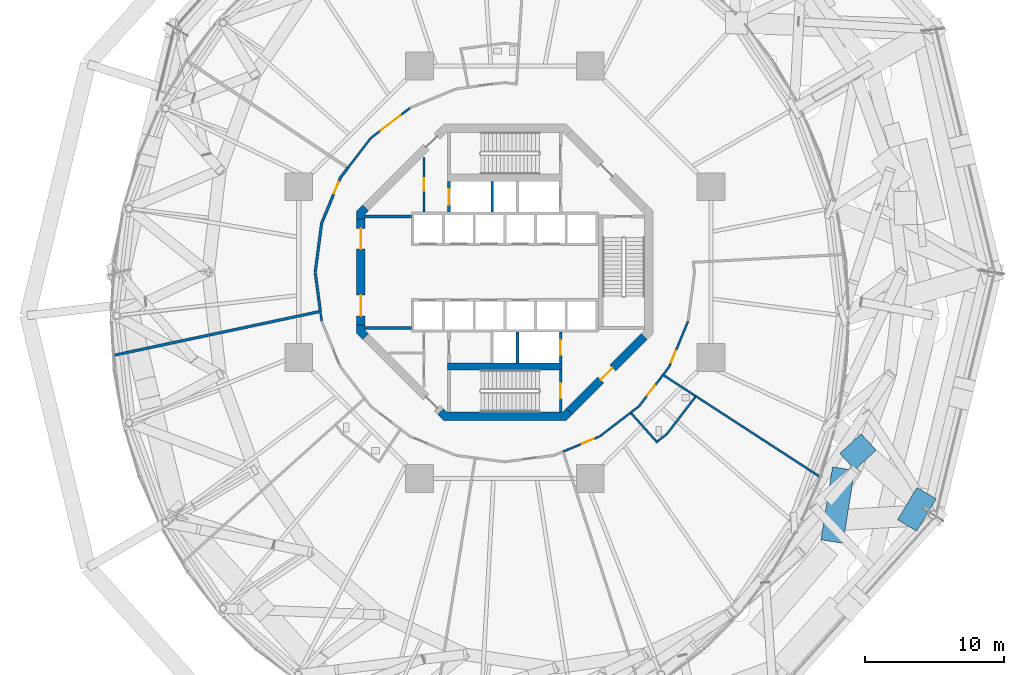
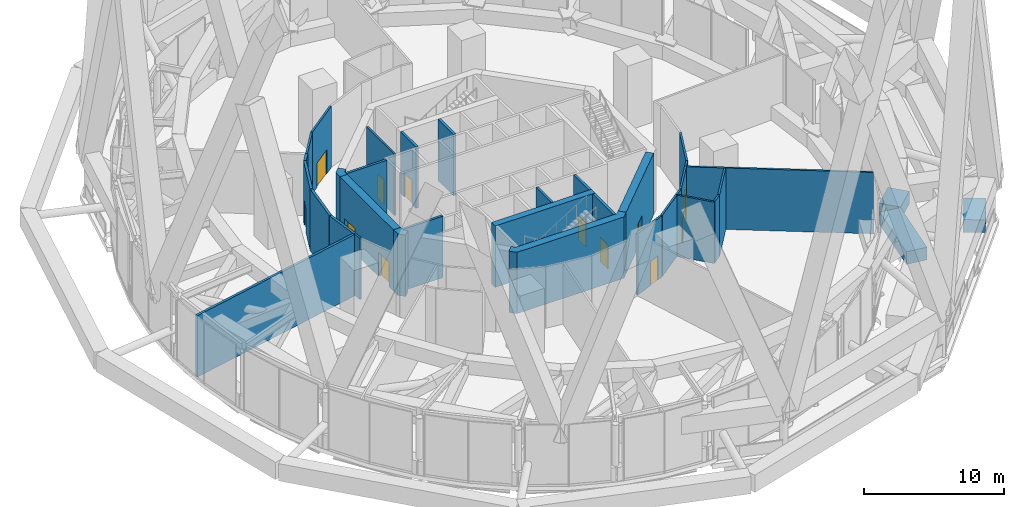
# One storey, part 38 of 49: 36 walls, 12 doors, 12 openings.
"""IFC4 building model written with IfcOpenShell, lengths in metres."""

from ifc_helpers import new_model, si_unit, direction, frame, frame_2d, origin, place, context, subcontext, project, spatial, polyline, rectangle, outline, extrude, material, layer, layer_set, type_object, element, fill, save


model = new_model("IFC4")

# Units and contexts
model_context = context("Model", 3, precision=1e-05, world=origin(), true_north=direction((0.0, 1.0)))
body_context = subcontext(model_context, "Body", "Model", "MODEL_VIEW")
ifc_project = project(units=[si_unit("LENGTHUNIT", "METRE"), si_unit("AREAUNIT", "SQUARE_METRE"), si_unit("VOLUMEUNIT", "CUBIC_METRE"), si_unit("PLANEANGLEUNIT", "RADIAN"), si_unit("MASSUNIT", "GRAM", prefix="KILO")], contexts=[model_context])

# Site, building, storey
site_placement = place(None, origin())
site = spatial("IfcSite", under=ifc_project, at=site_placement, CompositionType="ELEMENT")
building_placement = place(site_placement, origin())
building = spatial("IfcBuilding", under=site, at=building_placement, Name="Nagisa Residences", CompositionType="ELEMENT")
storey_placement = place(building_placement, frame((0.0, 0.0, 160.300048828125)))
storey = spatial("IfcBuildingStorey", under=building, at=storey_placement, Name="L40", CompositionType="ELEMENT", Elevation=160.300048828125)

# Wall, opening, door
ifc_material_1 = material(Name="Gypsum board on steel studs", Category="steel")
ifc_layer_1 = layer(ifc_material_1, 0.14990234375)
ifc_layer_set_1 = layer_set([ifc_layer_1], Name="Core partition 150")
wall_type_1 = type_object("IfcWallType", Name="Core partition 150", PredefinedType="PARTITIONING", material=ifc_layer_set_1)
wall_1_placement = place(storey_placement, frame((-5.800048828125, 4.300048828125, 0.0), z_axis=(0.0, 0.0, 1.0), x_axis=(0.0, 1.0, 0.0)))
wall_1 = element("IfcWall", 1, at=wall_1_placement, inside=storey, type_object=wall_type_1, Name="wall:L40:NWp", PredefinedType="PARTITIONING", context=body_context, shape_type="SweptSolid", body=[
    extrude(rectangle(XDim=3.927001953125, YDim=0.14990234375, at=frame_2d((1.96337890625, 0.0))), origin(), (0.0, 0.0, 1.0), 5.33984375),
])
opening_1_placement = place(wall_1_placement, frame((1.551025390625, 0.0, 0.0)))
opening_1 = element("IfcOpeningElement", 2, at=opening_1_placement, cuts=wall_1, Name="Opening L40-C16", PredefinedType="OPENING", context=body_context, shape_type="SweptSolid", body=[
    extrude(rectangle(XDim=0.89990234375, YDim=2.10009765625, at=frame_2d((0.449951171875, 1.050048828125))), frame((0.0, 0.0849609375, 0.0), z_axis=(0.0, -1.0, 0.0), x_axis=(1.0, 0.0, 0.0)), (0.0, 0.0, 1.0), 0.169921875),
])
ifc_material_2 = material(Name="Steel fire door", Category="steel")
door_type_1 = type_object("IfcDoorType", Name="Fire door EI30 900x2100 single swing", OperationType="NOTDEFINED", PredefinedType="DOOR", material=ifc_material_2)
door_1_placement = place(opening_1_placement, origin())
door_1 = element("IfcDoor", 3, at=door_1_placement, inside=storey, type_object=door_type_1, Name="Package room door L40", OperationType="SINGLE_SWING_LEFT", OverallHeight=2.10009765625, OverallWidth=0.89990234375, PredefinedType="DOOR", context=body_context, shape_type="SweptSolid", body=[
    extrude(rectangle(XDim=0.89990234375, YDim=2.10009765625, at=frame_2d((0.449951171875, 1.050048828125))), frame((0.0, 0.02490234375, 0.0), z_axis=(0.0, -1.0, 0.0), x_axis=(1.0, 0.0, 0.0)), (0.0, 0.0, 1.0), 0.050048828125),
])
fill(opening_1, door_1)

# Walls
ifc_material_3 = material(Name="Gypsum board on steel studs", Category="steel")
ifc_layer_2 = layer(ifc_material_3, 0.199951171875)
ifc_layer_set_2 = layer_set([ifc_layer_2], Name="Core partition 200")
wall_type_2 = type_object("IfcWallType", Name="Core partition 200", PredefinedType="PARTITIONING", material=ifc_layer_set_2)
for number, where, z_axis, x_axis, name in (
    (4, (-10.024658203125, -4.0, 0.0), (0.0, 0.0, 1.0), (1.0, 0.0, 0.0), "wall:L40:PSW"),
    (5, (-10.024658203125, 4.0, 0.0), (0.0, 0.0, 1.0), (1.0, 0.0, 0.0), "wall:L40:PNW"),
):
    element("IfcWall", number, at=place(storey_placement, frame(where, z_axis=z_axis, x_axis=x_axis)), inside=storey, type_object=wall_type_2, Name=name, PredefinedType="PARTITIONING", context=body_context, shape_type="SweptSolid", body=[
        extrude(rectangle(XDim=3.32470703125, YDim=0.199951171875, at=frame_2d((1.662353515625, 0.0))), origin(), (0.0, 0.0, 1.0), 5.33984375),
    ])

# Wall, openings, doors
ifc_material_4 = material(Name="Concrete C60", Category="concrete")
ifc_layer_3 = layer(ifc_material_4, 0.60009765625)
ifc_layer_set_3 = layer_set([ifc_layer_3], Name="Core shear wall 600")
wall_type_3 = type_object("IfcWallType", Name="Core shear wall 600", PredefinedType="SHEAR", material=ifc_layer_set_3)
wall_2_placement = place(storey_placement, frame((-10.32470703125, 3.80078125, 0.0), z_axis=(0.0, 0.0, 1.0), x_axis=(0.0, -1.0, 0.0)))
wall_2 = element("IfcWall", 6, at=wall_2_placement, inside=storey, type_object=wall_type_3, Name="wall:L40:core:flat4", PredefinedType="SHEAR", context=body_context, shape_type="SweptSolid", body=[
    extrude(rectangle(XDim=7.6015625, YDim=0.60009765625, at=frame_2d((3.80078125, 0.0))), origin(), (0.0, 0.0, 1.0), 5.33984375),
])
opening_2_placement = place(wall_2_placement, frame((0.65087890625, 0.0, 0.0)))
opening_2 = element("IfcOpeningElement", 7, at=opening_2_placement, cuts=wall_2, Name="Opening L40-C22", PredefinedType="OPENING", context=body_context, shape_type="SweptSolid", body=[
    extrude(rectangle(XDim=1.5, YDim=2.10009765625, at=frame_2d((0.75, 1.050048828125))), frame((0.0, 0.31005859375, 0.0), z_axis=(0.0, -1.0, 0.0), x_axis=(1.0, 0.0, 0.0)), (0.0, 0.0, 1.0), 0.6201171875),
])
opening_3_placement = place(wall_2_placement, frame((5.450927734375, 0.0, 0.0)))
opening_3 = element("IfcOpeningElement", 8, at=opening_3_placement, cuts=wall_2, Name="Opening L40-C23", PredefinedType="OPENING", context=body_context, shape_type="SweptSolid", body=[
    extrude(rectangle(XDim=1.5, YDim=2.10009765625, at=frame_2d((0.75, 1.050048828125))), frame((0.0, 0.31005859375, 0.0), z_axis=(0.0, -1.0, 0.0), x_axis=(1.0, 0.0, 0.0)), (0.0, 0.0, 1.0), 0.6201171875),
])
ifc_material_5 = material(Name="Steel fire door", Category="steel")
door_type_2 = type_object("IfcDoorType", Name="Fire door EI60 1500x2100 double door single swing", OperationType="DOUBLE_DOOR_SINGLE_SWING", PredefinedType="DOOR", material=ifc_material_5)
door_2_placement = place(opening_2_placement, origin())
door_2 = element("IfcDoor", 9, at=door_2_placement, inside=storey, type_object=door_type_2, Name="Lift lobby door L40 1", OperationType="DOUBLE_DOOR_SINGLE_SWING", OverallHeight=2.10009765625, OverallWidth=1.5, PredefinedType="DOOR", context=body_context, shape_type="SweptSolid", body=[
    extrude(rectangle(XDim=1.5, YDim=2.10009765625, at=frame_2d((0.75, 1.050048828125))), frame((0.0, 0.02490234375, 0.0), z_axis=(0.0, -1.0, 0.0), x_axis=(1.0, 0.0, 0.0)), (0.0, 0.0, 1.0), 0.050048828125),
])
fill(opening_2, door_2)
door_3_placement = place(opening_3_placement, origin())
door_3 = element("IfcDoor", 10, at=door_3_placement, inside=storey, type_object=door_type_2, Name="Lift lobby door L40 2", OperationType="DOUBLE_DOOR_SINGLE_SWING", OverallHeight=2.10009765625, OverallWidth=1.5, PredefinedType="DOOR", context=body_context, shape_type="SweptSolid", body=[
    extrude(rectangle(XDim=1.5, YDim=2.10009765625, at=frame_2d((0.75, 1.050048828125))), frame((0.0, 0.02490234375, 0.0), z_axis=(0.0, -1.0, 0.0), x_axis=(1.0, 0.0, 0.0)), (0.0, 0.0, 1.0), 0.050048828125),
])
fill(opening_3, door_3)

# Wall, opening, door
wall_3_placement = place(storey_placement, frame((4.613037109375, -9.98828125, 0.0), z_axis=(0.0, 0.0, 1.0), x_axis=(0.707106781187, 0.707106781187, 0.0)))
wall_3 = element("IfcWall", 11, at=wall_3_placement, inside=storey, type_object=wall_type_3, Name="wall:L40:core:flat7", PredefinedType="SHEAR", context=body_context, shape_type="SweptSolid", body=[
    extrude(rectangle(XDim=7.601806640625, YDim=0.60009765625, at=frame_2d((3.80078125, 0.0))), origin(), (0.0, 0.0, 1.0), 5.33984375),
])
opening_4_placement = place(wall_3_placement, frame((3.200927734375, 0.0, 0.0)))
opening_4 = element("IfcOpeningElement", 12, at=opening_4_placement, cuts=wall_3, Name="Opening L40-C21", PredefinedType="OPENING", context=body_context, shape_type="SweptSolid", body=[
    extrude(rectangle(XDim=1.199951171875, YDim=2.10009765625, at=frame_2d((0.60009765625, 1.050048828125))), frame((0.0, 0.31005859375, 0.0), z_axis=(0.0, -1.0, 0.0), x_axis=(1.0, 0.0, 0.0)), (0.0, 0.0, 1.0), 0.6201171875),
])
ifc_material_6 = material(Name="Steel fire door", Category="steel")
door_type_3 = type_object("IfcDoorType", Name="Fire door EI60 1200x2100 single swing", OperationType="NOTDEFINED", PredefinedType="DOOR", material=ifc_material_6)
door_4_placement = place(opening_4_placement, origin())
door_4 = element("IfcDoor", 13, at=door_4_placement, inside=storey, type_object=door_type_3, Name="Firefighting lobby 2 door L40", OperationType="SINGLE_SWING_LEFT", OverallHeight=2.10009765625, OverallWidth=1.199951171875, PredefinedType="DOOR", context=body_context, shape_type="SweptSolid", body=[
    extrude(rectangle(XDim=1.199951171875, YDim=2.10009765625, at=frame_2d((0.60009765625, 1.050048828125))), frame((0.0, 0.02490234375, 0.0), z_axis=(0.0, -1.0, 0.0), x_axis=(1.0, 0.0, 0.0)), (0.0, 0.0, 1.0), 0.050048828125),
])
fill(opening_4, door_4)

# Walls
wall_4_placement = place(storey_placement, origin())
element("IfcWall", 14, at=wall_4_placement, inside=storey, type_object=wall_type_3, Name="wall:L40:core:pier4", PredefinedType="SHEAR", context=body_context, shape_type="SweptSolid", body=[
    extrude(outline(polyline([(-10.62451171875, -3.80078125), (-10.024658203125, -3.80078125), (-10.024658203125, -4.15234375), (-9.776123046875, -4.40087890625), (-10.200439453125, -4.8251953125), (-10.62451171875, -4.40087890625), (-10.62451171875, -3.80078125)])), origin(), (0.0, 0.0, 1.0), 5.33984375),
])
wall_5_placement = place(storey_placement, origin())
element("IfcWall", 15, at=wall_5_placement, inside=storey, type_object=wall_type_3, Name="wall:L40:core:pier3", PredefinedType="SHEAR", context=body_context, shape_type="SweptSolid", body=[
    extrude(outline(polyline([(-10.200439453125, 4.8251953125), (-9.776123046875, 4.40087890625), (-10.024658203125, 4.15234375), (-10.024658203125, 3.80078125), (-10.62451171875, 3.80078125), (-10.62451171875, 4.40087890625), (-10.200439453125, 4.8251953125)])), origin(), (0.0, 0.0, 1.0), 5.33984375),
])
wall_6_placement = place(storey_placement, origin())
element("IfcWall", 16, at=wall_6_placement, inside=storey, type_object=wall_type_3, Name="wall:L40:core:flat6", PredefinedType="SHEAR", context=body_context, shape_type="SweptSolid", body=[
    extrude(outline(polyline([(-4.15234375, -10.024658203125), (4.15234375, -10.024658203125), (4.40087890625, -9.776123046875), (4.8251953125, -10.200439453125), (4.40087890625, -10.62451171875), (-4.40087890625, -10.62451171875), (-4.8251953125, -10.200439453125), (-4.40087890625, -9.776123046875), (-4.15234375, -10.024658203125)])), origin(), (0.0, 0.0, 1.0), 5.33984375),
])

# Wall, opening, door
ifc_material_7 = material(Name="Concrete C60", Category="concrete")
ifc_layer_4 = layer(ifc_material_7, 0.199951171875)
ifc_layer_set_4 = layer_set([ifc_layer_4], Name="Lift shaft wall 200")
wall_type_4 = type_object("IfcWallType", Name="Lift shaft wall 200", PredefinedType="SOLIDWALL", material=ifc_layer_set_4)
wall_7_placement = place(storey_placement, frame((-4.0, 4.300048828125, 0.0), z_axis=(0.0, 0.0, 1.0), x_axis=(0.0, 1.0, 0.0)))
wall_7 = element("IfcWall", 17, at=wall_7_placement, inside=storey, type_object=wall_type_4, Name="wall:L40:Nb4", PredefinedType="SOLIDWALL", context=body_context, shape_type="SweptSolid", body=[
    extrude(rectangle(XDim=2.199951171875, YDim=0.199951171875, at=frame_2d((1.10009765625, 0.0))), origin(), (0.0, 0.0, 1.0), 5.33984375),
])
opening_5_placement = place(wall_7_placement, frame((0.550048828125, 0.0, 0.0)))
opening_5 = element("IfcOpeningElement", 18, at=opening_5_placement, cuts=wall_7, Name="Opening L40-C12", PredefinedType="OPENING", context=body_context, shape_type="SweptSolid", body=[
    extrude(rectangle(XDim=1.10009765625, YDim=2.10009765625, at=frame_2d((0.550048828125, 1.050048828125))), frame((0.0, 0.10986328125, 0.0), z_axis=(0.0, -1.0, 0.0), x_axis=(1.0, 0.0, 0.0)), (0.0, 0.0, 1.0), 0.219970703125),
])
ifc_material_8 = material(Name="Stainless steel", Category="steel")
door_type_4 = type_object("IfcDoorType", Name="Lift landing door 1100x2100", OperationType="DOUBLE_DOOR_SLIDING", PredefinedType="DOOR", material=ifc_material_8)
door_5_placement = place(opening_5_placement, origin())
door_5 = element("IfcDoor", 19, at=door_5_placement, inside=storey, type_object=door_type_4, Name="Landing door SV L40", OperationType="DOUBLE_DOOR_SLIDING", OverallHeight=2.10009765625, OverallWidth=1.10009765625, PredefinedType="DOOR", context=body_context, shape_type="SweptSolid", body=[
    extrude(rectangle(XDim=1.10009765625, YDim=2.10009765625, at=frame_2d((0.550048828125, 1.050048828125))), frame((0.0, 0.02490234375, 0.0), z_axis=(0.0, -1.0, 0.0), x_axis=(1.0, 0.0, 0.0)), (0.0, 0.0, 1.0), 0.050048828125),
])
fill(opening_5, door_5)

wall_8_placement = place(storey_placement, frame((4.0, -6.5, 0.0), z_axis=(0.0, 0.0, 1.0), x_axis=(0.0, 1.0, 0.0)))
wall_8 = element("IfcWall", 20, at=wall_8_placement, inside=storey, type_object=wall_type_4, Name="wall:L40:Sb3", PredefinedType="SOLIDWALL", context=body_context, shape_type="SweptSolid", body=[
    extrude(rectangle(XDim=2.199951171875, YDim=0.199951171875, at=frame_2d((1.10009765625, 0.0))), origin(), (0.0, 0.0, 1.0), 5.33984375),
])
opening_6_placement = place(wall_8_placement, frame((0.550048828125, 0.0, 0.0)))
opening_6 = element("IfcOpeningElement", 21, at=opening_6_placement, cuts=wall_8, Name="Opening L40-C11", PredefinedType="OPENING", context=body_context, shape_type="SweptSolid", body=[
    extrude(rectangle(XDim=1.10009765625, YDim=2.10009765625, at=frame_2d((0.550048828125, 1.050048828125))), frame((0.0, 0.10986328125, 0.0), z_axis=(0.0, -1.0, 0.0), x_axis=(1.0, 0.0, 0.0)), (0.0, 0.0, 1.0), 0.219970703125),
])
door_6_placement = place(opening_6_placement, origin())
door_6 = element("IfcDoor", 22, at=door_6_placement, inside=storey, type_object=door_type_4, Name="Landing door FL2 L40", OperationType="DOUBLE_DOOR_SLIDING", OverallHeight=2.10009765625, OverallWidth=1.10009765625, PredefinedType="DOOR", context=body_context, shape_type="SweptSolid", body=[
    extrude(rectangle(XDim=1.10009765625, YDim=2.10009765625, at=frame_2d((0.550048828125, 1.050048828125))), frame((0.0, 0.02490234375, 0.0), z_axis=(0.0, -1.0, 0.0), x_axis=(1.0, 0.0, 0.0)), (0.0, 0.0, 1.0), 0.050048828125),
])
fill(opening_6, door_6)

# Walls
for number, where, z_axis, x_axis, name in (
    (23, (0.89990234375, -6.5, 0.0), (0.0, 0.0, 1.0), (0.0, 1.0, 0.0), "wall:L40:Sb2"),
    (24, (-0.89990234375, 4.300048828125, 0.0), (0.0, 0.0, 1.0), (0.0, 1.0, 0.0), "wall:L40:Nb1"),
):
    element("IfcWall", number, at=place(storey_placement, frame(where, z_axis=z_axis, x_axis=x_axis)), inside=storey, type_object=wall_type_4, Name=name, PredefinedType="SOLIDWALL", context=body_context, shape_type="SweptSolid", body=[
        extrude(rectangle(XDim=2.199951171875, YDim=0.199951171875, at=frame_2d((1.10009765625, 0.0))), origin(), (0.0, 0.0, 1.0), 5.33984375),
    ])
ifc_material_9 = material(Name="Precast concrete C30/37", Category="concrete")
ifc_layer_5 = layer(ifc_material_9, 1.60009765625)
ifc_layer_set_5 = layer_set([ifc_layer_5], Name="PLANTER")
wall_type_5 = type_object("IfcWallType", Name="PLANTER", PredefinedType="SOLIDWALL", material=ifc_layer_set_5)
wall_9_placement = place(storey_placement, frame((23.4560546875, -19.31494140625, 0.0), z_axis=(0.0, 0.0, 1.0), x_axis=(0.157120158422, 0.987579493417, 0.0)))
element("IfcWall", 25, at=wall_9_placement, inside=storey, type_object=wall_type_5, Name="planter:L40:deck009", PredefinedType="SOLIDWALL", context=body_context, shape_type="SweptSolid", body=[
    extrude(rectangle(XDim=5.29541015625, YDim=1.60009765625, at=frame_2d((2.647705078125, 0.0))), origin(), (0.0, 0.0, 1.0), 1.099853515625),
])
wall_10_placement = place(storey_placement, frame((24.555908203125, -13.587646484375, 0.0), z_axis=(0.0, 0.0, 1.0), x_axis=(0.737329676339, 0.6755330846, 0.0)))
element("IfcWall", 26, at=wall_10_placement, inside=storey, type_object=wall_type_5, Name="planter:L40:deck011", PredefinedType="SOLIDWALL", context=body_context, shape_type="SweptSolid", body=[
    extrude(rectangle(XDim=2.078125, YDim=1.60009765625, at=frame_2d((1.0390625, 0.0))), origin(), (0.0, 0.0, 1.0), 1.099853515625),
])
wall_11_placement = place(storey_placement, frame((30.2412109375, -15.84521484375, 0.0), z_axis=(0.0, 0.0, 1.0), x_axis=(-0.514442617775, -0.857524806065, 0.0)))
element("IfcWall", 27, at=wall_11_placement, inside=storey, type_object=wall_type_5, Name="planter:L40:deck013", PredefinedType="SOLIDWALL", context=body_context, shape_type="SweptSolid", body=[
    extrude(rectangle(XDim=2.70263671875, YDim=1.60009765625, at=frame_2d((1.351318359375, 0.0))), origin(), (0.0, 0.0, 1.0), 1.099853515625),
])
ifc_material_10 = material(Name="Gypsum board on steel studs", Category="steel")
ifc_layer_6 = layer(ifc_material_10, 0.199951171875)
ifc_layer_set_6 = layer_set([ifc_layer_6], Name="Plant room wall EI120 200")
wall_type_6 = type_object("IfcWallType", Name="Plant room wall EI120 200", PredefinedType="PARTITIONING", material=ifc_layer_set_6)
wall_12_placement = place(storey_placement, frame((-28.07080078125, -5.966552734375, 0.0), z_axis=(0.0, 0.0, 1.0), x_axis=(0.978149752065, 0.20790156934, 0.0)))
element("IfcWall", 28, at=wall_12_placement, inside=storey, type_object=wall_type_6, Name="wall:L40:am043", PredefinedType="PARTITIONING", context=body_context, shape_type="SweptSolid", body=[
    extrude(rectangle(XDim=15.072265625, YDim=0.199951171875, at=frame_2d((7.5361328125, 0.0))), origin(), (0.0, 0.0, 1.0), 5.33984375),
])
wall_13_placement = place(storey_placement, frame((-13.597900390625, 0.01513671875, 0.0), z_axis=(0.0, 0.0, 1.0), x_axis=(0.130468866457, 0.991452406768, 0.0)))
element("IfcWall", 29, at=wall_13_placement, inside=storey, type_object=wall_type_6, Name="wall:L40:am044", PredefinedType="PARTITIONING", context=body_context, shape_type="SweptSolid", body=[
    extrude(rectangle(XDim=3.519775390625, YDim=0.199951171875, at=frame_2d((1.759765625, 0.0))), origin(), (0.0, 0.0, 1.0), 5.33984375),
])
wall_14_placement = place(storey_placement, frame((-13.229736328125, -2.81201171875, 0.0), z_axis=(0.0, 0.0, 1.0), x_axis=(-0.130508241489, 0.991447224467, 0.0)))
element("IfcWall", 30, at=wall_14_placement, inside=storey, type_object=wall_type_6, Name="wall:L40:am045", PredefinedType="PARTITIONING", context=body_context, shape_type="SweptSolid", body=[
    extrude(rectangle(XDim=2.821044921875, YDim=0.199951171875, at=frame_2d((1.41064453125, 0.0))), origin(), (0.0, 0.0, 1.0), 5.33984375),
])

# Wall, opening, door
wall_15_placement = place(storey_placement, frame((-13.130859375, 3.533935546875, 0.0), z_axis=(0.0, 0.0, 1.0), x_axis=(0.382723413813, 0.92386297064, 0.0)))
wall_15 = element("IfcWall", 31, at=wall_15_placement, inside=storey, type_object=wall_type_6, Name="wall:L40:am046", PredefinedType="PARTITIONING", context=body_context, shape_type="SweptSolid", body=[
    extrude(rectangle(XDim=3.52001953125, YDim=0.199951171875, at=frame_2d((1.760009765625, 0.0))), origin(), (0.0, 0.0, 1.0), 5.33984375),
])
opening_7_placement = place(wall_15_placement, frame((2.277587890625, 0.0, 0.0)))
opening_7 = element("IfcOpeningElement", 32, at=opening_7_placement, cuts=wall_15, Name="Opening L40-A03", PredefinedType="OPENING", context=body_context, shape_type="SweptSolid", body=[
    extrude(rectangle(XDim=0.89990234375, YDim=2.10009765625, at=frame_2d((0.449951171875, 1.050048828125))), frame((0.0, 0.10986328125, 0.0), z_axis=(0.0, -1.0, 0.0), x_axis=(1.0, 0.0, 0.0)), (0.0, 0.0, 1.0), 0.219970703125),
])
ifc_material_11 = material(Name="Steel fire door", Category="steel")
door_type_5 = type_object("IfcDoorType", Name="Fire door EI120 900x2100 single swing", OperationType="NOTDEFINED", PredefinedType="DOOR", material=ifc_material_11)
door_7_placement = place(opening_7_placement, origin())
door_7 = element("IfcDoor", 33, at=door_7_placement, inside=storey, type_object=door_type_5, Name="Sky dining kitchen door", OperationType="SINGLE_SWING_LEFT", OverallHeight=2.10009765625, OverallWidth=0.89990234375, PredefinedType="DOOR", context=body_context, shape_type="SweptSolid", body=[
    extrude(rectangle(XDim=0.89990234375, YDim=2.10009765625, at=frame_2d((0.449951171875, 1.050048828125))), frame((0.0, 0.02490234375, 0.0), z_axis=(0.0, -1.0, 0.0), x_axis=(1.0, 0.0, 0.0)), (0.0, 0.0, 1.0), 0.050048828125),
])
fill(opening_7, door_7)

# Walls
wall_16_placement = place(storey_placement, frame((-11.7685546875, 6.81201171875, 0.0), z_axis=(0.0, 0.0, 1.0), x_axis=(0.60871710749, 0.793387347422, 0.0)))
element("IfcWall", 34, at=wall_16_placement, inside=storey, type_object=wall_type_6, Name="wall:L40:am047", PredefinedType="PARTITIONING", context=body_context, shape_type="SweptSolid", body=[
    extrude(rectangle(XDim=0.843505859375, YDim=0.199951171875, at=frame_2d((0.421875, 0.0))), origin(), (0.0, 0.0, 1.0), 5.33984375),
])
ifc_material_12 = material(Name="Gypsum board on steel studs", Category="steel")
ifc_layer_7 = layer(ifc_material_12, 0.14990234375)
ifc_layer_set_7 = layer_set([ifc_layer_7], Name="Room partition EI60 150")
wall_type_7 = type_object("IfcWallType", Name="Room partition EI60 150", PredefinedType="PARTITIONING", material=ifc_layer_set_7)
wall_17_placement = place(storey_placement, frame((-13.13818359375, -3.508056640625, 0.0), z_axis=(0.0, 0.0, 1.0), x_axis=(-0.130409533429, 0.991460212813, 0.0)))
element("IfcWall", 35, at=wall_17_placement, inside=storey, type_object=wall_type_7, Name="wall:L40:am000", PredefinedType="PARTITIONING", context=body_context, shape_type="SweptSolid", body=[
    extrude(rectangle(XDim=0.7021484375, YDim=0.14990234375, at=frame_2d((0.35107421875, 0.0))), origin(), (0.0, 0.0, 1.0), 5.33984375),
])
wall_18_placement = place(storey_placement, frame((-11.255126953125, 7.481201171875, 0.0), z_axis=(0.0, 0.0, 1.0), x_axis=(0.608710767698, 0.793392211512, 0.0)))
element("IfcWall", 36, at=wall_18_placement, inside=storey, type_object=wall_type_7, Name="wall:L40:am004", PredefinedType="PARTITIONING", context=body_context, shape_type="SweptSolid", body=[
    extrude(rectangle(XDim=2.6796875, YDim=0.14990234375, at=frame_2d((1.33984375, 0.0))), origin(), (0.0, 0.0, 1.0), 5.33984375),
])

# Wall, opening, door
wall_19_placement = place(storey_placement, frame((-9.607177734375, 9.6240234375, 0.0), z_axis=(0.0, 0.0, 1.0), x_axis=(0.793372307201, 0.608736710054, 0.0)))
wall_19 = element("IfcWall", 37, at=wall_19_placement, inside=storey, type_object=wall_type_7, Name="wall:L40:am008", PredefinedType="PARTITIONING", context=body_context, shape_type="SweptSolid", body=[
    extrude(rectangle(XDim=3.526611328125, YDim=0.14990234375, at=frame_2d((1.76318359375, 0.0))), origin(), (0.0, 0.0, 1.0), 5.33984375),
])
opening_8_placement = place(wall_19_placement, frame((0.86328125, 0.0, 0.0)))
opening_8 = element("IfcOpeningElement", 38, at=opening_8_placement, cuts=wall_19, Name="Opening L40-A02", PredefinedType="OPENING", context=body_context, shape_type="SweptSolid", body=[
    extrude(rectangle(XDim=1.800048828125, YDim=2.10009765625, at=frame_2d((0.89990234375, 1.050048828125))), frame((0.0, 0.0849609375, 0.0), z_axis=(0.0, -1.0, 0.0), x_axis=(1.0, 0.0, 0.0)), (0.0, 0.0, 1.0), 0.169921875),
])
ifc_material_13 = material(Name="Steel fire door", Category="steel")
door_type_6 = type_object("IfcDoorType", Name="Fire door EI30 1800x2100 double door single swing", OperationType="DOUBLE_DOOR_SINGLE_SWING", PredefinedType="DOOR", material=ifc_material_13)
door_8_placement = place(opening_8_placement, origin())
door_8 = element("IfcDoor", 39, at=door_8_placement, inside=storey, type_object=door_type_6, Name="Sky dining restaurant door", OperationType="DOUBLE_DOOR_SINGLE_SWING", OverallHeight=2.10009765625, OverallWidth=1.800048828125, PredefinedType="DOOR", context=body_context, shape_type="SweptSolid", body=[
    extrude(rectangle(XDim=1.800048828125, YDim=2.10009765625, at=frame_2d((0.89990234375, 1.050048828125))), frame((0.0, 0.02490234375, 0.0), z_axis=(0.0, -1.0, 0.0), x_axis=(1.0, 0.0, 0.0)), (0.0, 0.0, 1.0), 0.050048828125),
])
fill(opening_8, door_8)

wall_20_placement = place(storey_placement, frame((6.7890625, -11.782470703125, 0.0), z_axis=(0.0, 0.0, 1.0), x_axis=(-0.923883033442, -0.382674980262, 0.0)))
wall_20 = element("IfcWall", 40, at=wall_20_placement, inside=storey, type_object=wall_type_7, Name="wall:L40:am029", PredefinedType="PARTITIONING", context=body_context, shape_type="SweptSolid", body=[
    extrude(rectangle(XDim=2.824462890625, YDim=0.14990234375, at=frame_2d((1.412109375, 0.0))), origin(), (0.0, 0.0, 1.0), 5.33984375),
])
opening_9_placement = place(wall_20_placement, frame((0.45361328125, 0.0, 0.0)))
opening_9 = element("IfcOpeningElement", 41, at=opening_9_placement, cuts=wall_20, Name="Opening L40-A09", PredefinedType="OPENING", context=body_context, shape_type="SweptSolid", body=[
    extrude(rectangle(XDim=0.89990234375, YDim=2.10009765625, at=frame_2d((0.449951171875, 1.050048828125))), frame((0.0, 0.0849609375, 0.0), z_axis=(0.0, -1.0, 0.0), x_axis=(1.0, 0.0, 0.0)), (0.0, 0.0, 1.0), 0.169921875),
])
door_9_placement = place(opening_9_placement, origin())
door_9 = element("IfcDoor", 42, at=door_9_placement, inside=storey, type_object=door_type_1, Name="Catering store door", OperationType="SINGLE_SWING_LEFT", OverallHeight=2.10009765625, OverallWidth=0.89990234375, PredefinedType="DOOR", context=body_context, shape_type="SweptSolid", body=[
    extrude(rectangle(XDim=0.89990234375, YDim=2.10009765625, at=frame_2d((0.449951171875, 1.050048828125))), frame((0.0, 0.02490234375, 0.0), z_axis=(0.0, -1.0, 0.0), x_axis=(1.0, 0.0, 0.0)), (0.0, 0.0, 1.0), 0.050048828125),
])
fill(opening_9, door_9)

# Walls
wall_21_placement = place(storey_placement, frame((9.01904296875, -10.0751953125, 0.0), z_axis=(0.0, 0.0, 1.0), x_axis=(-0.793356581691, -0.608757204711, 0.0)))
element("IfcWall", 43, at=wall_21_placement, inside=storey, type_object=wall_type_7, Name="wall:L40:am030", PredefinedType="PARTITIONING", context=body_context, shape_type="SweptSolid", body=[
    extrude(rectangle(XDim=2.78515625, YDim=0.14990234375, at=frame_2d((1.392578125, 0.0))), origin(), (0.0, 0.0, 1.0), 5.33984375),
])
wall_22_placement = place(storey_placement, frame((9.607177734375, -9.6240234375, 0.0), z_axis=(0.0, 0.0, 1.0), x_axis=(-0.793431391307, -0.608659697441, 0.0)))
element("IfcWall", 44, at=wall_22_placement, inside=storey, type_object=wall_type_7, Name="wall:L40:am031", PredefinedType="PARTITIONING", context=body_context, shape_type="SweptSolid", body=[
    extrude(rectangle(XDim=0.7412109375, YDim=0.14990234375, at=frame_2d((0.37060546875, 0.0))), origin(), (0.0, 0.0, 1.0), 5.33984375),
])
wall_23_placement = place(storey_placement, frame((10.942138671875, -12.2236328125, 0.0), z_axis=(0.0, 0.0, 1.0), x_axis=(-0.666993055926, 0.745063932389, 0.0)))
element("IfcWall", 45, at=wall_23_placement, inside=storey, type_object=wall_type_7, Name="wall:L40:am032", PredefinedType="PARTITIONING", context=body_context, shape_type="SweptSolid", body=[
    extrude(rectangle(XDim=2.80810546875, YDim=0.14990234375, at=frame_2d((1.404052734375, 0.0))), origin(), (0.0, 0.0, 1.0), 5.33984375),
])

# Wall, opening, door
wall_24_placement = place(storey_placement, frame((11.34326171875, -7.366455078125, 0.0), z_axis=(0.0, 0.0, 1.0), x_axis=(-0.608732750311, -0.793375345407, 0.0)))
wall_24 = element("IfcWall", 46, at=wall_24_placement, inside=storey, type_object=wall_type_7, Name="wall:L40:am033", PredefinedType="PARTITIONING", context=body_context, shape_type="SweptSolid", body=[
    extrude(rectangle(XDim=2.82421875, YDim=0.14990234375, at=frame_2d((1.412109375, 0.0))), origin(), (0.0, 0.0, 1.0), 5.33984375),
])
opening_10_placement = place(wall_24_placement, frame((0.96826171875, 0.0, 0.0)))
opening_10 = element("IfcOpeningElement", 47, at=opening_10_placement, cuts=wall_24, Name="Opening L40-A08", PredefinedType="OPENING", context=body_context, shape_type="SweptSolid", body=[
    extrude(rectangle(XDim=0.89990234375, YDim=2.10009765625, at=frame_2d((0.449951171875, 1.050048828125))), frame((0.0, 0.0849609375, 0.0), z_axis=(0.0, -1.0, 0.0), x_axis=(1.0, 0.0, 0.0)), (0.0, 0.0, 1.0), 0.169921875),
])
door_10_placement = place(opening_10_placement, origin())
door_10 = element("IfcDoor", 48, at=door_10_placement, inside=storey, type_object=door_type_1, Name="Men's WC door", OperationType="SINGLE_SWING_RIGHT", OverallHeight=2.10009765625, OverallWidth=0.89990234375, PredefinedType="DOOR", context=body_context, shape_type="SweptSolid", body=[
    extrude(rectangle(XDim=0.89990234375, YDim=2.10009765625, at=frame_2d((0.449951171875, 1.050048828125))), frame((0.0, 0.02490234375, 0.0), z_axis=(0.0, -1.0, 0.0), x_axis=(1.0, 0.0, 0.0)), (0.0, 0.0, 1.0), 0.050048828125),
])
fill(opening_10, door_10)

# Walls
wall_25_placement = place(storey_placement, frame((11.406494140625, -7.407470703125, 0.0), z_axis=(0.0, 0.0, 1.0), x_axis=(0.838682314257, -0.544620946855, 0.0)))
element("IfcWall", 49, at=wall_25_placement, inside=storey, type_object=wall_type_7, Name="wall:L40:am034", PredefinedType="PARTITIONING", context=body_context, shape_type="SweptSolid", body=[
    extrude(rectangle(XDim=2.733154296875, YDim=0.14990234375, at=frame_2d((1.36669921875, 0.0))), origin(), (0.0, 0.0, 1.0), 5.33984375),
])
wall_26_placement = place(storey_placement, frame((11.604248046875, -11.620849609375, 0.0), z_axis=(0.0, 0.0, 1.0), x_axis=(-0.793219322038, -0.608936045201, 0.0)))
element("IfcWall", 50, at=wall_26_placement, inside=storey, type_object=wall_type_7, Name="wall:L40:am035", PredefinedType="PARTITIONING", context=body_context, shape_type="SweptSolid", body=[
    extrude(rectangle(XDim=0.82275390625, YDim=0.14990234375, at=frame_2d((0.411376953125, 0.0))), origin(), (0.0, 0.0, 1.0), 5.33984375),
])
wall_27_placement = place(storey_placement, frame((11.770751953125, -6.809326171875, 0.0), z_axis=(0.0, 0.0, 1.0), x_axis=(-0.608752635326, -0.793360087844, 0.0)))
element("IfcWall", 51, at=wall_27_placement, inside=storey, type_object=wall_type_7, Name="wall:L40:am036", PredefinedType="PARTITIONING", context=body_context, shape_type="SweptSolid", body=[
    extrude(rectangle(XDim=0.7021484375, YDim=0.14990234375, at=frame_2d((0.35107421875, 0.0))), origin(), (0.0, 0.0, 1.0), 5.33984375),
])

# Wall, opening, door
wall_28_placement = place(storey_placement, frame((13.132080078125, -3.53076171875, 0.0), z_axis=(0.0, 0.0, 1.0), x_axis=(-0.382677866108, -0.923881838111, 0.0)))
wall_28 = element("IfcWall", 52, at=wall_28_placement, inside=storey, type_object=wall_type_7, Name="wall:L40:am037", PredefinedType="PARTITIONING", context=body_context, shape_type="SweptSolid", body=[
    extrude(rectangle(XDim=3.52685546875, YDim=0.14990234375, at=frame_2d((1.763427734375, 0.0))), origin(), (0.0, 0.0, 1.0), 5.33984375),
])
opening_11_placement = place(wall_28_placement, frame((2.281005859375, 0.0, 0.0)))
opening_11 = element("IfcOpeningElement", 53, at=opening_11_placement, cuts=wall_28, Name="Opening L40-A10", PredefinedType="OPENING", context=body_context, shape_type="SweptSolid", body=[
    extrude(rectangle(XDim=0.89990234375, YDim=2.10009765625, at=frame_2d((0.449951171875, 1.050048828125))), frame((0.0, 0.0849609375, 0.0), z_axis=(0.0, -1.0, 0.0), x_axis=(1.0, 0.0, 0.0)), (0.0, 0.0, 1.0), 0.169921875),
])
door_11_placement = place(opening_11_placement, origin())
door_11 = element("IfcDoor", 54, at=door_11_placement, inside=storey, type_object=door_type_1, Name="Sky club office door", OperationType="SINGLE_SWING_RIGHT", OverallHeight=2.10009765625, OverallWidth=0.89990234375, PredefinedType="DOOR", context=body_context, shape_type="SweptSolid", body=[
    extrude(rectangle(XDim=0.89990234375, YDim=2.10009765625, at=frame_2d((0.449951171875, 1.050048828125))), frame((0.0, 0.02490234375, 0.0), z_axis=(0.0, -1.0, 0.0), x_axis=(1.0, 0.0, 0.0)), (0.0, 0.0, 1.0), 0.050048828125),
])
fill(opening_11, door_11)

# Walls
wall_29_placement = place(storey_placement, frame((13.653076171875, -8.955810546875, 0.0), z_axis=(0.0, 0.0, 1.0), x_axis=(-0.608763124529, -0.79335203927, 0.0)))
element("IfcWall", 55, at=wall_29_placement, inside=storey, type_object=wall_type_7, Name="wall:L40:am040", PredefinedType="PARTITIONING", context=body_context, shape_type="SweptSolid", body=[
    extrude(rectangle(XDim=3.33837890625, YDim=0.14990234375, at=frame_2d((1.669189453125, 0.0))), origin(), (0.0, 0.0, 1.0), 5.33984375),
])
wall_30_placement = place(storey_placement, frame((13.69873046875, -8.89599609375, 0.0), z_axis=(0.0, 0.0, 1.0), x_axis=(0.838668797017, -0.544641761996, 0.0)))
element("IfcWall", 56, at=wall_30_placement, inside=storey, type_object=wall_type_7, Name="wall:L40:am041", PredefinedType="PARTITIONING", context=body_context, shape_type="SweptSolid", body=[
    extrude(rectangle(XDim=10.623291015625, YDim=0.14990234375, at=frame_2d((5.3115234375, 0.0))), origin(), (0.0, 0.0, 1.0), 5.33984375),
])

# Wall, opening, door
ifc_material_14 = material(Name="Concrete C60", Category="concrete")
ifc_layer_8 = layer(ifc_material_14, 0.199951171875)
ifc_layer_set_8 = layer_set([ifc_layer_8], Name="Stair enclosure wall 200")
wall_type_8 = type_object("IfcWallType", Name="Stair enclosure wall 200", PredefinedType="SOLIDWALL", material=ifc_layer_set_8)
wall_31_placement = place(storey_placement, frame((4.0, -10.024658203125, 0.0), z_axis=(0.0, 0.0, 1.0), x_axis=(0.0, 1.0, 0.0)))
wall_31 = element("IfcWall", 57, at=wall_31_placement, inside=storey, type_object=wall_type_8, Name="wall:L40:SS_e", PredefinedType="SOLIDWALL", context=body_context, shape_type="SweptSolid", body=[
    extrude(rectangle(XDim=3.0, YDim=0.199951171875, at=frame_2d((1.5, 0.0))), origin(), (0.0, 0.0, 1.0), 5.33984375),
])
opening_12_placement = place(wall_31_placement, frame((0.974609375, 0.0, 0.0)))
opening_12 = element("IfcOpeningElement", 58, at=opening_12_placement, cuts=wall_31, Name="Opening L40-C15", PredefinedType="OPENING", context=body_context, shape_type="SweptSolid", body=[
    extrude(rectangle(XDim=1.10009765625, YDim=2.10009765625, at=frame_2d((0.550048828125, 1.050048828125))), frame((0.0, 0.10986328125, 0.0), z_axis=(0.0, -1.0, 0.0), x_axis=(1.0, 0.0, 0.0)), (0.0, 0.0, 1.0), 0.219970703125),
])
ifc_material_15 = material(Name="Steel fire door", Category="steel")
door_type_7 = type_object("IfcDoorType", Name="Fire door EI90 1100x2100 single swing", OperationType="NOTDEFINED", PredefinedType="DOOR", material=ifc_material_15)
door_12_placement = place(opening_12_placement, origin())
door_12 = element("IfcDoor", 59, at=door_12_placement, inside=storey, type_object=door_type_7, Name="Stair door ST-S L40", OperationType="SINGLE_SWING_LEFT", OverallHeight=2.10009765625, OverallWidth=1.10009765625, PredefinedType="DOOR", context=body_context, shape_type="SweptSolid", body=[
    extrude(rectangle(XDim=1.10009765625, YDim=2.10009765625, at=frame_2d((0.550048828125, 1.050048828125))), frame((0.0, 0.02490234375, 0.0), z_axis=(0.0, -1.0, 0.0), x_axis=(1.0, 0.0, 0.0)), (0.0, 0.0, 1.0), 0.050048828125),
])
fill(opening_12, door_12)

# Wall
wall_32_placement = place(storey_placement, origin())
element("IfcWall", 60, at=wall_32_placement, inside=storey, type_object=wall_type_8, Name="wall:L40:SS_n", PredefinedType="SOLIDWALL", context=body_context, shape_type="SweptSolid", body=[
    extrude(outline(polyline([(4.10009765625, -7.024658203125), (-4.10009765625, -7.024658203125), (-4.10009765625, -6.5), (4.10009765625, -6.5), (4.10009765625, -7.024658203125)])), origin(), (0.0, 0.0, 1.0), 5.33984375),
])

save(model, "model.ifc")
